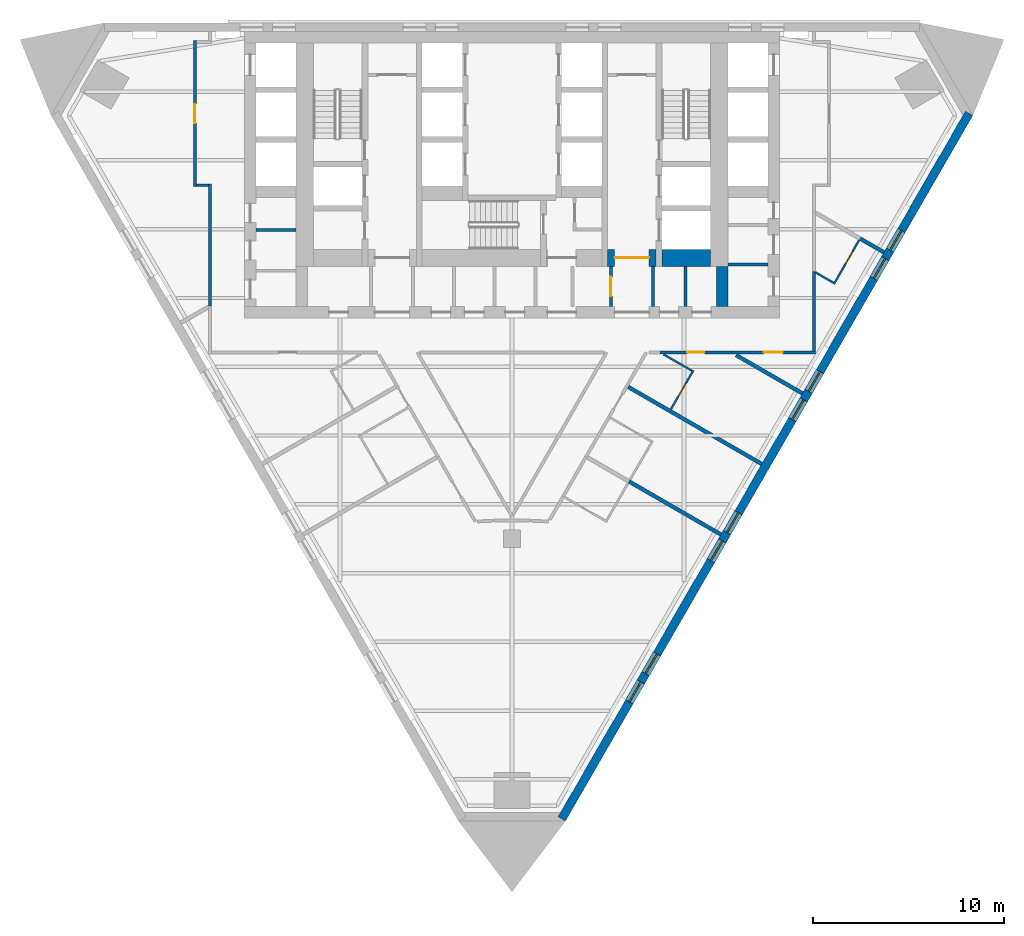
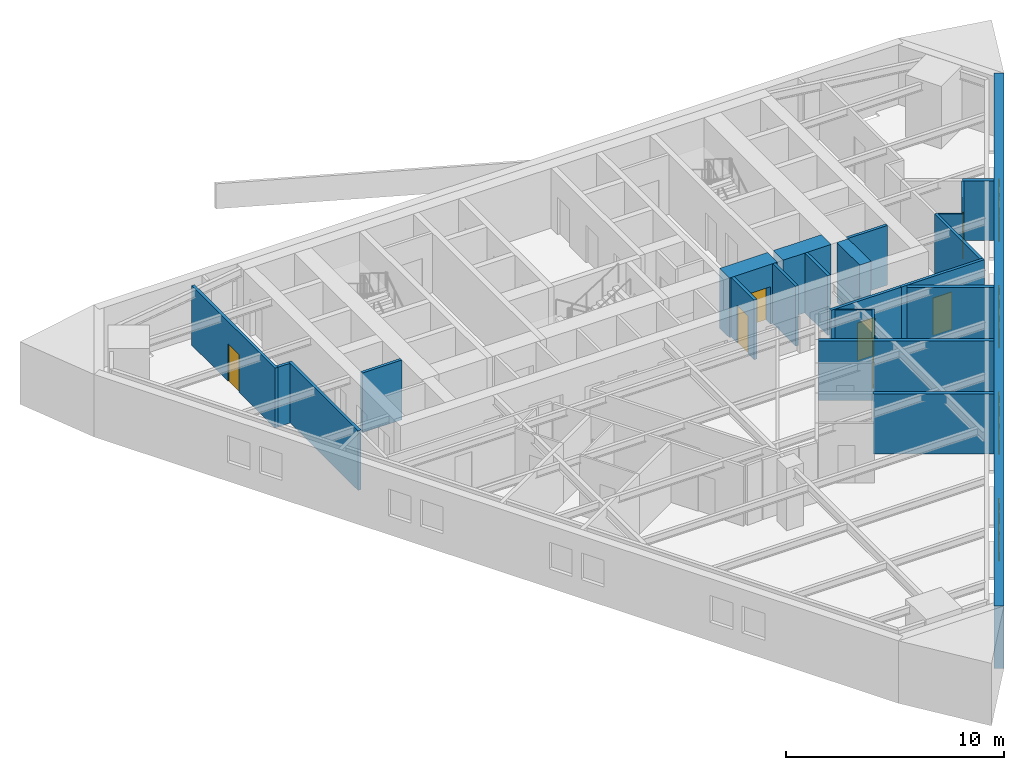
# One storey, part 4 of 10: 23 walls, 8 windows, 7 doors, 15 openings.
"""IFC4 building model written with IfcOpenShell, lengths in metres."""

from ifc_helpers import new_model, si_unit, direction, frame, frame_2d, origin, place, context, subcontext, project, spatial, polyline, rectangle, outline, extrude, material, layer, layer_set, type_object, element, fill, save


model = new_model("IFC4")

# Units and contexts
model_context = context("Model", 3, precision=1e-05, world=origin(), true_north=direction((0.0, 1.0)))
body_context = subcontext(model_context, "Body", "Model", "MODEL_VIEW")
ifc_project = project(units=[si_unit("LENGTHUNIT", "METRE"), si_unit("AREAUNIT", "SQUARE_METRE"), si_unit("VOLUMEUNIT", "CUBIC_METRE"), si_unit("PLANEANGLEUNIT", "RADIAN"), si_unit("MASSUNIT", "GRAM", prefix="KILO")], contexts=[model_context])

# Site, building, storey
site_placement = place(None, origin())
site = spatial("IfcSite", under=ifc_project, at=site_placement, CompositionType="ELEMENT")
building_placement = place(site_placement, origin())
building = spatial("IfcBuilding", under=site, at=building_placement, Name="Aloe Facet Convention Tower", CompositionType="ELEMENT")
storey_placement = place(building_placement, frame((0.0, 0.0, 85.300048828125)))
storey = spatial("IfcBuildingStorey", under=building, at=storey_placement, Name="L20", CompositionType="ELEMENT", Elevation=85.300048828125)

# Wall
ifc_material_1 = material(Name="Concrete blockwork partition", Category="masonry")
ifc_layer_1 = layer(ifc_material_1, 0.14990234375)
ifc_layer_set_1 = layer_set([ifc_layer_1], Name="CR-W-PART150")
wall_type_1 = type_object("IfcWallType", Name="CR-W-PART150", PredefinedType="PARTITIONING", material=ifc_layer_set_1)
wall_1_placement = place(storey_placement, frame((66.60009765625, 124.16455078125, 0.0), z_axis=(0.0, 0.0, 1.0), x_axis=(1.0, 0.0, 0.0)))
element("IfcWall", 1, at=wall_1_placement, inside=storey, type_object=wall_type_1, Name="Core partition L20-007", PredefinedType="PARTITIONING", context=body_context, shape_type="SweptSolid", body=[
    extrude(rectangle(XDim=2.099853515625, YDim=0.14990234375, at=frame_2d((1.0498046875, 0.0))), origin(), (0.0, 0.0, 1.0), 3.349853515625),
])

# Wall, opening, door
wall_2_placement = place(storey_placement, frame((85.175048828125, 122.25, 0.0), z_axis=(0.0, 0.0, 1.0), x_axis=(0.0, -1.0, 0.0)))
wall_2 = element("IfcWall", 2, at=wall_2_placement, inside=storey, type_object=wall_type_1, Name="Core partition L20-041", PredefinedType="PARTITIONING", context=body_context, shape_type="SweptSolid", body=[
    extrude(rectangle(XDim=2.10009765625, YDim=0.14990234375, at=frame_2d((1.050048828125, 0.0))), origin(), (0.0, 0.0, 1.0), 3.349853515625),
])
opening_1_placement = place(wall_2_placement, frame((0.550048828125, 0.0, 0.0)))
opening_1 = element("IfcOpeningElement", 3, at=opening_1_placement, cuts=wall_2, Name="Opening L20-CD28", PredefinedType="OPENING", context=body_context, shape_type="SweptSolid", body=[
    extrude(rectangle(XDim=1.0, YDim=2.10009765625, at=frame_2d((0.5, 1.050048828125))), frame((0.0, 0.0849609375, 0.0), z_axis=(0.0, -1.0, 0.0), x_axis=(1.0, 0.0, 0.0)), (0.0, 0.0, 1.0), 0.169921875),
])
ifc_material_2 = material(Name="Steel fire-resisting door set FD60", Category="steel")
door_type_1 = type_object("IfcDoorType", Name="CR-D-ROOM-1000-FD60-SRIGHT", OperationType="SINGLE_SWING_RIGHT", PredefinedType="DOOR", material=ifc_material_2)
door_1_placement = place(opening_1_placement, origin())
door_1 = element("IfcDoor", 4, at=door_1_placement, inside=storey, type_object=door_type_1, Name="Core door L20-CD28", OperationType="SINGLE_SWING_RIGHT", OverallHeight=2.10009765625, OverallWidth=1.0, PredefinedType="DOOR", context=body_context, shape_type="SweptSolid", body=[
    extrude(rectangle(XDim=1.0, YDim=2.10009765625, at=frame_2d((0.5, 1.050048828125))), frame((0.0, 0.02490234375, 0.0), z_axis=(0.0, -1.0, 0.0), x_axis=(1.0, 0.0, 0.0)), (0.0, 0.0, 1.0), 0.050048828125),
])
fill(opening_1, door_1)

# Walls
for number, where, z_axis, x_axis, name in (
    (5, (87.375, 122.25, 0.0), (0.0, 0.0, 1.0), (0.0, -1.0, 0.0), "Core partition L20-042"),
    (6, (89.074951171875, 122.25, 0.0), (0.0, 0.0, 1.0), (0.0, -1.0, 0.0), "Core partition L20-047"),
):
    element("IfcWall", number, at=place(storey_placement, frame(where, z_axis=z_axis, x_axis=x_axis)), inside=storey, type_object=wall_type_1, Name=name, PredefinedType="PARTITIONING", context=body_context, shape_type="SweptSolid", body=[
        extrude(rectangle(XDim=2.10009765625, YDim=0.14990234375, at=frame_2d((1.050048828125, 0.0))), origin(), (0.0, 0.0, 1.0), 3.349853515625),
    ])
wall_3_placement = place(storey_placement, frame((91.300048828125, 122.346435546875, 0.0), z_axis=(0.0, 0.0, 1.0), x_axis=(1.0, 0.0, 0.0)))
element("IfcWall", 7, at=wall_3_placement, inside=storey, type_object=wall_type_1, Name="Core partition L20-054", PredefinedType="PARTITIONING", context=body_context, shape_type="SweptSolid", body=[
    extrude(rectangle(XDim=2.099853515625, YDim=0.14990234375, at=frame_2d((1.0498046875, 0.0))), origin(), (0.0, 0.0, 1.0), 3.349853515625),
])
ifc_material_3 = material(Name="Concrete C70/85", Category="concrete")
ifc_layer_2 = layer(ifc_material_3, 0.60009765625)
ifc_layer_set_2 = layer_set([ifc_layer_2], Name="CR-W-RC600-C7085")
wall_type_2 = type_object("IfcWallType", Name="CR-W-RC600-C7085", PredefinedType="SOLIDWALL", material=ifc_layer_set_2)
wall_4_placement = place(storey_placement, frame((91.0, 122.25, 0.0), z_axis=(0.0, 0.0, 1.0), x_axis=(0.0, -1.0, 0.0)))
element("IfcWall", 8, at=wall_4_placement, inside=storey, type_object=wall_type_2, Name="Core wall L20-049", PredefinedType="SOLIDWALL", context=body_context, shape_type="SweptSolid", body=[
    extrude(rectangle(XDim=2.10009765625, YDim=0.60009765625, at=frame_2d((1.050048828125, 0.0))), origin(), (0.0, 0.0, 1.0), 3.349853515625),
])

# Wall, opening, door
ifc_material_4 = material(Name="Concrete C70/85", Category="concrete")
ifc_layer_3 = layer(ifc_material_4, 0.89990234375)
ifc_layer_set_3 = layer_set([ifc_layer_3], Name="CR-W-RC900-C7085")
wall_type_3 = type_object("IfcWallType", Name="CR-W-RC900-C7085", PredefinedType="SOLIDWALL", material=ifc_layer_set_3)
wall_5_placement = place(storey_placement, frame((85.0, 122.699951171875, 0.0), z_axis=(0.0, 0.0, 1.0), x_axis=(1.0, 0.0, 0.0)))
wall_5 = element("IfcWall", 9, at=wall_5_placement, inside=storey, type_object=wall_type_3, Name="Core wall L20-040", PredefinedType="SOLIDWALL", context=body_context, shape_type="SweptSolid", body=[
    extrude(rectangle(XDim=2.550048828125, YDim=0.89990234375, at=frame_2d((1.27490234375, 0.0))), origin(), (0.0, 0.0, 1.0), 3.349853515625),
])
opening_2_placement = place(wall_5_placement, frame((0.375, 0.0, 0.0)))
opening_2 = element("IfcOpeningElement", 10, at=opening_2_placement, cuts=wall_5, Name="Opening L20-CD14", PredefinedType="OPENING", context=body_context, shape_type="SweptSolid", body=[
    extrude(rectangle(XDim=1.800048828125, YDim=2.10009765625, at=frame_2d((0.89990234375, 1.050048828125))), frame((0.0, 0.4599609375, 0.0), z_axis=(0.0, -1.0, 0.0), x_axis=(1.0, 0.0, 0.0)), (0.0, 0.0, 1.0), 0.919921875),
])
ifc_material_5 = material(Name="Steel fire-resisting door set FD120", Category="steel")
door_type_2 = type_object("IfcDoorType", Name="CR-D-EXIT-1800-FD120-DD", OperationType="DOUBLE_DOOR_DOUBLE_SWING", PredefinedType="DOOR", material=ifc_material_5)
door_2_placement = place(opening_2_placement, origin())
door_2 = element("IfcDoor", 11, at=door_2_placement, inside=storey, type_object=door_type_2, Name="Core door L20-CD14", OperationType="DOUBLE_DOOR_DOUBLE_SWING", OverallHeight=2.10009765625, OverallWidth=1.800048828125, PredefinedType="DOOR", context=body_context, shape_type="SweptSolid", body=[
    extrude(rectangle(XDim=1.800048828125, YDim=2.10009765625, at=frame_2d((0.89990234375, 1.050048828125))), frame((0.0, 0.02490234375, 0.0), z_axis=(0.0, -1.0, 0.0), x_axis=(1.0, 0.0, 0.0)), (0.0, 0.0, 1.0), 0.050048828125),
])
fill(opening_2, door_2)

# Wall
wall_6_placement = place(storey_placement, frame((87.85009765625, 122.699951171875, 0.0), z_axis=(0.0, 0.0, 1.0), x_axis=(1.0, 0.0, 0.0)))
element("IfcWall", 12, at=wall_6_placement, inside=storey, type_object=wall_type_3, Name="Core wall L20-046", PredefinedType="SOLIDWALL", context=body_context, shape_type="SweptSolid", body=[
    extrude(rectangle(XDim=2.5498046875, YDim=0.89990234375, at=frame_2d((1.27490234375, 0.0))), origin(), (0.0, 0.0, 1.0), 3.349853515625),
])

# Wall, openings, windows
ifc_material_6 = material(Name="Precast concrete C40/50", Category="concrete")
ifc_layer_4 = layer(ifc_material_6, 0.449951171875)
ifc_layer_set_4 = layer_set([ifc_layer_4], Name="EV-WALL-STONE")
wall_type_4 = type_object("IfcWallType", Name="EV-WALL-STONE", PredefinedType="SOLIDWALL", material=ifc_layer_set_4)
wall_7_placement = place(storey_placement, frame((82.605224609375, 93.332763671875, -0.150146484375), z_axis=(0.0, 0.0, 1.0), x_axis=(0.500000478905, 0.866025127289, 0.0)))
wall_7 = element("IfcWall", 13, at=wall_7_placement, inside=storey, type_object=wall_type_4, Name="EW-L20-E01", PredefinedType="SOLIDWALL", context=body_context, shape_type="SweptSolid", body=[
    extrude(outline(polyline([(42.64306640625, 0.0), (42.64306640625, 3.5), (0.0, 3.5), (0.0, 0.0), (42.64306640625, 0.0)])), frame((0.0, 0.22509765625, 0.0), z_axis=(0.0, -1.0, 0.0), x_axis=(1.0, 0.0, 0.0)), (0.0, 0.0, 1.0), 0.449951171875),
])
opening_3_placement = place(wall_7_placement, frame((7.07861328125, 0.0, 1.050048828125)))
opening_3 = element("IfcOpeningElement", 14, at=opening_3_placement, cuts=wall_7, Name="Opening W-L20-E01", PredefinedType="OPENING", context=body_context, shape_type="SweptSolid", body=[
    extrude(rectangle(XDim=1.199951171875, YDim=1.5, at=frame_2d((0.60009765625, 0.75))), frame((0.0, 0.23486328125, 0.0), z_axis=(0.0, -1.0, 0.0), x_axis=(1.0, 0.0, 0.0)), (0.0, 0.0, 1.0), 0.469970703125),
])
opening_4_placement = place(wall_7_placement, frame((8.778564453125, 0.0, 1.050048828125)))
opening_4 = element("IfcOpeningElement", 15, at=opening_4_placement, cuts=wall_7, Name="Opening W-L20-E02", PredefinedType="OPENING", context=body_context, shape_type="SweptSolid", body=[
    extrude(rectangle(XDim=1.199951171875, YDim=1.5, at=frame_2d((0.60009765625, 0.75))), frame((0.0, 0.23486328125, 0.0), z_axis=(0.0, -1.0, 0.0), x_axis=(1.0, 0.0, 0.0)), (0.0, 0.0, 1.0), 0.469970703125),
])
opening_5_placement = place(wall_7_placement, frame((15.607177734375, 0.0, 1.050048828125)))
opening_5 = element("IfcOpeningElement", 16, at=opening_5_placement, cuts=wall_7, Name="Opening W-L20-E03", PredefinedType="OPENING", context=body_context, shape_type="SweptSolid", body=[
    extrude(rectangle(XDim=1.199951171875, YDim=1.5, at=frame_2d((0.60009765625, 0.75))), frame((0.0, 0.23486328125, 0.0), z_axis=(0.0, -1.0, 0.0), x_axis=(1.0, 0.0, 0.0)), (0.0, 0.0, 1.0), 0.469970703125),
])
opening_6_placement = place(wall_7_placement, frame((17.30712890625, 0.0, 1.050048828125)))
opening_6 = element("IfcOpeningElement", 17, at=opening_6_placement, cuts=wall_7, Name="Opening W-L20-E04", PredefinedType="OPENING", context=body_context, shape_type="SweptSolid", body=[
    extrude(rectangle(XDim=1.199951171875, YDim=1.5, at=frame_2d((0.60009765625, 0.75))), frame((0.0, 0.23486328125, 0.0), z_axis=(0.0, -1.0, 0.0), x_axis=(1.0, 0.0, 0.0)), (0.0, 0.0, 1.0), 0.469970703125),
])
opening_7_placement = place(wall_7_placement, frame((24.1357421875, 0.0, 1.050048828125)))
opening_7 = element("IfcOpeningElement", 18, at=opening_7_placement, cuts=wall_7, Name="Opening W-L20-E05", PredefinedType="OPENING", context=body_context, shape_type="SweptSolid", body=[
    extrude(rectangle(XDim=1.199951171875, YDim=1.5, at=frame_2d((0.60009765625, 0.75))), frame((0.0, 0.23486328125, 0.0), z_axis=(0.0, -1.0, 0.0), x_axis=(1.0, 0.0, 0.0)), (0.0, 0.0, 1.0), 0.469970703125),
])
opening_8_placement = place(wall_7_placement, frame((25.8359375, 0.0, 1.050048828125)))
opening_8 = element("IfcOpeningElement", 19, at=opening_8_placement, cuts=wall_7, Name="Opening W-L20-E06", PredefinedType="OPENING", context=body_context, shape_type="SweptSolid", body=[
    extrude(rectangle(XDim=1.199951171875, YDim=1.5, at=frame_2d((0.60009765625, 0.75))), frame((0.0, 0.23486328125, 0.0), z_axis=(0.0, -1.0, 0.0), x_axis=(1.0, 0.0, 0.0)), (0.0, 0.0, 1.0), 0.469970703125),
])
opening_9_placement = place(wall_7_placement, frame((32.66455078125, 0.0, 1.050048828125)))
opening_9 = element("IfcOpeningElement", 20, at=opening_9_placement, cuts=wall_7, Name="Opening W-L20-E07", PredefinedType="OPENING", context=body_context, shape_type="SweptSolid", body=[
    extrude(rectangle(XDim=1.199951171875, YDim=1.5, at=frame_2d((0.60009765625, 0.75))), frame((0.0, 0.23486328125, 0.0), z_axis=(0.0, -1.0, 0.0), x_axis=(1.0, 0.0, 0.0)), (0.0, 0.0, 1.0), 0.469970703125),
])
opening_10_placement = place(wall_7_placement, frame((34.364501953125, 0.0, 1.050048828125)))
opening_10 = element("IfcOpeningElement", 21, at=opening_10_placement, cuts=wall_7, Name="Opening W-L20-E08", PredefinedType="OPENING", context=body_context, shape_type="SweptSolid", body=[
    extrude(rectangle(XDim=1.199951171875, YDim=1.5, at=frame_2d((0.60009765625, 0.75))), frame((0.0, 0.23486328125, 0.0), z_axis=(0.0, -1.0, 0.0), x_axis=(1.0, 0.0, 0.0)), (0.0, 0.0, 1.0), 0.469970703125),
])
ifc_material_7 = material(Name="Aluminium frame, clear double glazing", Category="aluminium")
window_type = type_object("IfcWindowType", Name="EV-WIN-H12", PartitioningType="SINGLE_PANEL", PredefinedType="WINDOW", material=ifc_material_7)
window_1_placement = place(opening_3_placement, origin())
window_1 = element("IfcWindow", 22, at=window_1_placement, inside=storey, type_object=window_type, Name="W-L20-E01", OverallHeight=1.5, OverallWidth=1.199951171875, PartitioningType="SINGLE_PANEL", PredefinedType="WINDOW", context=body_context, shape_type="SweptSolid", body=[
    extrude(rectangle(XDim=1.199951171875, YDim=1.5, at=frame_2d((0.60009765625, 0.75))), frame((0.0, 0.030029296875, 0.0), z_axis=(0.0, -1.0, 0.0), x_axis=(1.0, 0.0, 0.0)), (0.0, 0.0, 1.0), 0.06005859375),
])
fill(opening_3, window_1)
window_2_placement = place(opening_4_placement, origin())
window_2 = element("IfcWindow", 23, at=window_2_placement, inside=storey, type_object=window_type, Name="W-L20-E02", OverallHeight=1.5, OverallWidth=1.199951171875, PartitioningType="SINGLE_PANEL", PredefinedType="WINDOW", context=body_context, shape_type="SweptSolid", body=[
    extrude(rectangle(XDim=1.199951171875, YDim=1.5, at=frame_2d((0.60009765625, 0.75))), frame((0.0, 0.030029296875, 0.0), z_axis=(0.0, -1.0, 0.0), x_axis=(1.0, 0.0, 0.0)), (0.0, 0.0, 1.0), 0.06005859375),
])
fill(opening_4, window_2)
window_3_placement = place(opening_5_placement, origin())
window_3 = element("IfcWindow", 24, at=window_3_placement, inside=storey, type_object=window_type, Name="W-L20-E03", OverallHeight=1.5, OverallWidth=1.199951171875, PartitioningType="SINGLE_PANEL", PredefinedType="WINDOW", context=body_context, shape_type="SweptSolid", body=[
    extrude(rectangle(XDim=1.199951171875, YDim=1.5, at=frame_2d((0.60009765625, 0.75))), frame((0.0, 0.030029296875, 0.0), z_axis=(0.0, -1.0, 0.0), x_axis=(1.0, 0.0, 0.0)), (0.0, 0.0, 1.0), 0.06005859375),
])
fill(opening_5, window_3)
window_4_placement = place(opening_6_placement, origin())
window_4 = element("IfcWindow", 25, at=window_4_placement, inside=storey, type_object=window_type, Name="W-L20-E04", OverallHeight=1.5, OverallWidth=1.199951171875, PartitioningType="SINGLE_PANEL", PredefinedType="WINDOW", context=body_context, shape_type="SweptSolid", body=[
    extrude(rectangle(XDim=1.199951171875, YDim=1.5, at=frame_2d((0.60009765625, 0.75))), frame((0.0, 0.030029296875, 0.0), z_axis=(0.0, -1.0, 0.0), x_axis=(1.0, 0.0, 0.0)), (0.0, 0.0, 1.0), 0.06005859375),
])
fill(opening_6, window_4)
window_5_placement = place(opening_7_placement, origin())
window_5 = element("IfcWindow", 26, at=window_5_placement, inside=storey, type_object=window_type, Name="W-L20-E05", OverallHeight=1.5, OverallWidth=1.199951171875, PartitioningType="SINGLE_PANEL", PredefinedType="WINDOW", context=body_context, shape_type="SweptSolid", body=[
    extrude(rectangle(XDim=1.199951171875, YDim=1.5, at=frame_2d((0.60009765625, 0.75))), frame((0.0, 0.030029296875, 0.0), z_axis=(0.0, -1.0, 0.0), x_axis=(1.0, 0.0, 0.0)), (0.0, 0.0, 1.0), 0.06005859375),
])
fill(opening_7, window_5)
window_6_placement = place(opening_8_placement, origin())
window_6 = element("IfcWindow", 27, at=window_6_placement, inside=storey, type_object=window_type, Name="W-L20-E06", OverallHeight=1.5, OverallWidth=1.199951171875, PartitioningType="SINGLE_PANEL", PredefinedType="WINDOW", context=body_context, shape_type="SweptSolid", body=[
    extrude(rectangle(XDim=1.199951171875, YDim=1.5, at=frame_2d((0.60009765625, 0.75))), frame((0.0, 0.030029296875, 0.0), z_axis=(0.0, -1.0, 0.0), x_axis=(1.0, 0.0, 0.0)), (0.0, 0.0, 1.0), 0.06005859375),
])
fill(opening_8, window_6)
window_7_placement = place(opening_9_placement, origin())
window_7 = element("IfcWindow", 28, at=window_7_placement, inside=storey, type_object=window_type, Name="W-L20-E07", OverallHeight=1.5, OverallWidth=1.199951171875, PartitioningType="SINGLE_PANEL", PredefinedType="WINDOW", context=body_context, shape_type="SweptSolid", body=[
    extrude(rectangle(XDim=1.199951171875, YDim=1.5, at=frame_2d((0.60009765625, 0.75))), frame((0.0, 0.030029296875, 0.0), z_axis=(0.0, -1.0, 0.0), x_axis=(1.0, 0.0, 0.0)), (0.0, 0.0, 1.0), 0.06005859375),
])
fill(opening_9, window_7)
window_8_placement = place(opening_10_placement, origin())
window_8 = element("IfcWindow", 29, at=window_8_placement, inside=storey, type_object=window_type, Name="W-L20-E08", OverallHeight=1.5, OverallWidth=1.199951171875, PartitioningType="SINGLE_PANEL", PredefinedType="WINDOW", context=body_context, shape_type="SweptSolid", body=[
    extrude(rectangle(XDim=1.199951171875, YDim=1.5, at=frame_2d((0.60009765625, 0.75))), frame((0.0, 0.030029296875, 0.0), z_axis=(0.0, -1.0, 0.0), x_axis=(1.0, 0.0, 0.0)), (0.0, 0.0, 1.0), 0.06005859375),
])
fill(opening_10, window_8)

# Wall, opening, door
ifc_material_8 = material(Name="Gypsum board partition on steel studs", Category="steel")
ifc_layer_5 = layer(ifc_material_8, 0.14990234375)
ifc_layer_set_5 = layer_set([ifc_layer_5], Name="IN-W-CORR")
wall_type_5 = type_object("IfcWallType", Name="IN-W-CORR", PredefinedType="PARTITIONING", material=ifc_layer_set_5)
wall_8_placement = place(storey_placement, frame((87.75634765625, 117.75, 0.0), z_axis=(0.0, 0.0, 1.0), x_axis=(1.0, 0.0, 0.0)))
wall_8 = element("IfcWall", 30, at=wall_8_placement, inside=storey, type_object=wall_type_5, Name="Partition L20-W046", PredefinedType="PARTITIONING", context=body_context, shape_type="SweptSolid", body=[
    extrude(rectangle(XDim=3.728515625, YDim=0.14990234375, at=frame_2d((1.8642578125, 0.0))), origin(), (0.0, 0.0, 1.0), 3.349853515625),
])
opening_11_placement = place(wall_8_placement, frame((1.414306640625, 0.0, 0.0)))
opening_11 = element("IfcOpeningElement", 31, at=opening_11_placement, cuts=wall_8, Name="Opening L20-005", PredefinedType="OPENING", context=body_context, shape_type="SweptSolid", body=[
    extrude(rectangle(XDim=0.89990234375, YDim=2.10009765625, at=frame_2d((0.449951171875, 1.050048828125))), frame((0.0, 0.0849609375, 0.0), z_axis=(0.0, -1.0, 0.0), x_axis=(1.0, 0.0, 0.0)), (0.0, 0.0, 1.0), 0.169921875),
])
ifc_material_9 = material(Name="Hardwood flush door FD30S", Category="wood")
door_type_3 = type_object("IfcDoorType", Name="IN-D-GUEST", OperationType="SINGLE_SWING_LEFT", PredefinedType="DOOR", material=ifc_material_9)
door_3_placement = place(opening_11_placement, origin())
door_3 = element("IfcDoor", 32, at=door_3_placement, inside=storey, type_object=door_type_3, Name="Door L20-005", OperationType="SINGLE_SWING_LEFT", OverallHeight=2.10009765625, OverallWidth=0.89990234375, PredefinedType="DOOR", context=body_context, shape_type="SweptSolid", body=[
    extrude(rectangle(XDim=0.89990234375, YDim=2.10009765625, at=frame_2d((0.449951171875, 1.050048828125))), frame((0.0, 0.02490234375, 0.0), z_axis=(0.0, -1.0, 0.0), x_axis=(1.0, 0.0, 0.0)), (0.0, 0.0, 1.0), 0.050048828125),
])
fill(opening_11, door_3)

wall_9_placement = place(storey_placement, frame((91.48486328125, 117.75, 0.0), z_axis=(0.0, 0.0, 1.0), x_axis=(1.0, 0.0, 0.0)))
wall_9 = element("IfcWall", 33, at=wall_9_placement, inside=storey, type_object=wall_type_5, Name="Partition L20-W047", PredefinedType="PARTITIONING", context=body_context, shape_type="SweptSolid", body=[
    extrude(rectangle(XDim=4.39013671875, YDim=0.14990234375, at=frame_2d((2.195068359375, 0.0))), origin(), (0.0, 0.0, 1.0), 3.349853515625),
])
opening_12_placement = place(wall_9_placement, frame((1.695068359375, 0.0, 0.0)))
opening_12 = element("IfcOpeningElement", 34, at=opening_12_placement, cuts=wall_9, Name="Opening L20-006", PredefinedType="OPENING", context=body_context, shape_type="SweptSolid", body=[
    extrude(rectangle(XDim=1.0, YDim=2.10009765625, at=frame_2d((0.5, 1.050048828125))), frame((0.0, 0.0849609375, 0.0), z_axis=(0.0, -1.0, 0.0), x_axis=(1.0, 0.0, 0.0)), (0.0, 0.0, 1.0), 0.169921875),
])
ifc_material_10 = material(Name="Hardwood flush door FD30S", Category="wood")
door_type_4 = type_object("IfcDoorType", Name="IN-D-WIDE", OperationType="SINGLE_SWING_LEFT", PredefinedType="DOOR", material=ifc_material_10)
door_4_placement = place(opening_12_placement, origin())
door_4 = element("IfcDoor", 35, at=door_4_placement, inside=storey, type_object=door_type_4, Name="Door L20-006", OperationType="SINGLE_SWING_LEFT", OverallHeight=2.10009765625, OverallWidth=1.0, PredefinedType="DOOR", context=body_context, shape_type="SweptSolid", body=[
    extrude(rectangle(XDim=1.0, YDim=2.10009765625, at=frame_2d((0.5, 1.050048828125))), frame((0.0, 0.02490234375, 0.0), z_axis=(0.0, -1.0, 0.0), x_axis=(1.0, 0.0, 0.0)), (0.0, 0.0, 1.0), 0.050048828125),
])
fill(opening_12, door_4)

# Walls
wall_10_placement = place(storey_placement, frame((64.199951171875, 120.1826171875, 0.0), z_axis=(0.0, 0.0, 1.0), x_axis=(0.0, 1.0, 0.0)))
element("IfcWall", 36, at=wall_10_placement, inside=storey, type_object=wall_type_5, Name="Partition L20-W049", PredefinedType="PARTITIONING", context=body_context, shape_type="SweptSolid", body=[
    extrude(rectangle(XDim=6.392333984375, YDim=0.14990234375, at=frame_2d((3.1962890625, 0.0))), origin(), (0.0, 0.0, 1.0), 3.349853515625),
])
wall_11_placement = place(storey_placement, frame((95.800048828125, 117.824951171875, 0.0), z_axis=(0.0, 0.0, 1.0), x_axis=(0.0, 1.0, 0.0)))
element("IfcWall", 37, at=wall_11_placement, inside=storey, type_object=wall_type_5, Name="Partition L20-W052", PredefinedType="PARTITIONING", context=body_context, shape_type="SweptSolid", body=[
    extrude(rectangle(XDim=4.1640625, YDim=0.14990234375, at=frame_2d((2.08203125, 0.0))), origin(), (0.0, 0.0, 1.0), 3.349853515625),
])

# Wall, opening, door
wall_12_placement = place(storey_placement, frame((63.39990234375, 126.425048828125, 0.0), z_axis=(0.0, 0.0, 1.0), x_axis=(0.0, 1.0, 0.0)))
wall_12 = element("IfcWall", 38, at=wall_12_placement, inside=storey, type_object=wall_type_5, Name="Partition L20-W056", PredefinedType="PARTITIONING", context=body_context, shape_type="SweptSolid", body=[
    extrude(rectangle(XDim=7.64990234375, YDim=0.14990234375, at=frame_2d((3.824951171875, 0.0))), origin(), (0.0, 0.0, 1.0), 3.349853515625),
])
opening_13_placement = place(wall_12_placement, frame((3.324951171875, 0.0, 0.0)))
opening_13 = element("IfcOpeningElement", 39, at=opening_13_placement, cuts=wall_12, Name="Opening L20-007", PredefinedType="OPENING", context=body_context, shape_type="SweptSolid", body=[
    extrude(rectangle(XDim=1.0, YDim=2.10009765625, at=frame_2d((0.5, 1.050048828125))), frame((0.0, 0.0849609375, 0.0), z_axis=(0.0, -1.0, 0.0), x_axis=(1.0, 0.0, 0.0)), (0.0, 0.0, 1.0), 0.169921875),
])
door_5_placement = place(opening_13_placement, origin())
door_5 = element("IfcDoor", 40, at=door_5_placement, inside=storey, type_object=door_type_4, Name="Door L20-007", OperationType="SINGLE_SWING_LEFT", OverallHeight=2.10009765625, OverallWidth=1.0, PredefinedType="DOOR", context=body_context, shape_type="SweptSolid", body=[
    extrude(rectangle(XDim=1.0, YDim=2.10009765625, at=frame_2d((0.5, 1.050048828125))), frame((0.0, 0.02490234375, 0.0), z_axis=(0.0, -1.0, 0.0), x_axis=(1.0, 0.0, 0.0)), (0.0, 0.0, 1.0), 0.050048828125),
])
fill(opening_13, door_5)

# Wall
wall_13_placement = place(storey_placement, frame((63.47509765625, 126.5, 0.0), z_axis=(0.0, 0.0, 1.0), x_axis=(1.0, 0.0, 0.0)))
element("IfcWall", 41, at=wall_13_placement, inside=storey, type_object=wall_type_5, Name="Partition L20-W057", PredefinedType="PARTITIONING", context=body_context, shape_type="SweptSolid", body=[
    extrude(rectangle(XDim=0.64990234375, YDim=0.14990234375, at=frame_2d((0.324951171875, 0.0))), origin(), (0.0, 0.0, 1.0), 3.349853515625),
])

# Wall, opening, door
ifc_material_11 = material(Name="Gypsum board partition on steel studs", Category="steel")
ifc_layer_6 = layer(ifc_material_11, 0.10009765625)
ifc_layer_set_6 = layer_set([ifc_layer_6], Name="IN-W-PART")
wall_type_6 = type_object("IfcWallType", Name="IN-W-PART", PredefinedType="PARTITIONING", material=ifc_layer_set_6)
wall_14_placement = place(storey_placement, frame((88.319580078125, 114.780517578125, 0.0), z_axis=(0.0, 0.0, 1.0), x_axis=(0.499954256575, 0.866051812152, 0.0)))
wall_14 = element("IfcWall", 42, at=wall_14_placement, inside=storey, type_object=wall_type_6, Name="Partition L20-W036", PredefinedType="PARTITIONING", context=body_context, shape_type="SweptSolid", body=[
    extrude(rectangle(XDim=2.340087890625, YDim=0.10009765625, at=frame_2d((1.169921875, 0.0))), origin(), (0.0, 0.0, 1.0), 3.349853515625),
])
opening_14_placement = place(wall_14_placement, frame((0.77001953125, 0.0, 0.0)))
opening_14 = element("IfcOpeningElement", 43, at=opening_14_placement, cuts=wall_14, Name="Opening L20-014", PredefinedType="OPENING", context=body_context, shape_type="SweptSolid", body=[
    extrude(rectangle(XDim=0.800048828125, YDim=2.10009765625, at=frame_2d((0.39990234375, 1.050048828125))), frame((0.0, 0.06005859375, 0.0), z_axis=(0.0, -1.0, 0.0), x_axis=(1.0, 0.0, 0.0)), (0.0, 0.0, 1.0), 0.1201171875),
])
ifc_material_12 = material(Name="Timber flush door", Category="wood")
door_type_5 = type_object("IfcDoorType", Name="IN-D-BATH", OperationType="SINGLE_SWING_LEFT", PredefinedType="DOOR", material=ifc_material_12)
door_6_placement = place(opening_14_placement, origin())
door_6 = element("IfcDoor", 44, at=door_6_placement, inside=storey, type_object=door_type_5, Name="Door L20-014", OperationType="SINGLE_SWING_LEFT", OverallHeight=2.10009765625, OverallWidth=0.800048828125, PredefinedType="DOOR", context=body_context, shape_type="SweptSolid", body=[
    extrude(rectangle(XDim=0.800048828125, YDim=2.10009765625, at=frame_2d((0.39990234375, 1.050048828125))), frame((0.0, 0.02490234375, 0.0), z_axis=(0.0, -1.0, 0.0), x_axis=(1.0, 0.0, 0.0)), (0.0, 0.0, 1.0), 0.050048828125),
])
fill(opening_14, door_6)

# Walls
wall_15_placement = place(storey_placement, frame((87.933837890625, 117.6474609375, 0.0), z_axis=(0.0, 0.0, 1.0), x_axis=(0.866074343204, -0.499915224856, 0.0)))
element("IfcWall", 45, at=wall_15_placement, inside=storey, type_object=wall_type_6, Name="Partition L20-W045", PredefinedType="PARTITIONING", context=body_context, shape_type="SweptSolid", body=[
    extrude(rectangle(XDim=1.717529296875, YDim=0.10009765625, at=frame_2d((0.85888671875, 0.0))), origin(), (0.0, 0.0, 1.0), 3.349853515625),
])
wall_16_placement = place(storey_placement, frame((95.88232421875, 121.94140625, 0.0), z_axis=(0.0, 0.0, 1.0), x_axis=(0.866087020037, -0.499893262331, 0.0)))
element("IfcWall", 46, at=wall_16_placement, inside=storey, type_object=wall_type_6, Name="Partition L20-W050", PredefinedType="PARTITIONING", context=body_context, shape_type="SweptSolid", body=[
    extrude(rectangle(XDim=1.196044921875, YDim=0.10009765625, at=frame_2d((0.59814453125, 0.0))), origin(), (0.0, 0.0, 1.0), 3.349853515625),
])

# Wall, opening, door
wall_17_placement = place(storey_placement, frame((96.90478515625, 121.42041015625, 0.0), z_axis=(0.0, 0.0, 1.0), x_axis=(0.496762324189, 0.867886624661, 0.0)))
wall_17 = element("IfcWall", 47, at=wall_17_placement, inside=storey, type_object=wall_type_6, Name="Partition L20-W054", PredefinedType="PARTITIONING", context=body_context, shape_type="SweptSolid", body=[
    extrude(rectangle(XDim=2.530029296875, YDim=0.10009765625, at=frame_2d((1.26513671875, 0.0))), origin(), (0.0, 0.0, 1.0), 3.349853515625),
])
opening_15_placement = place(wall_17_placement, frame((1.091064453125, 0.0, 0.0)))
opening_15 = element("IfcOpeningElement", 48, at=opening_15_placement, cuts=wall_17, Name="Opening L20-015", PredefinedType="OPENING", context=body_context, shape_type="SweptSolid", body=[
    extrude(rectangle(XDim=0.800048828125, YDim=2.10009765625, at=frame_2d((0.39990234375, 1.050048828125))), frame((0.0, 0.06005859375, 0.0), z_axis=(0.0, -1.0, 0.0), x_axis=(1.0, 0.0, 0.0)), (0.0, 0.0, 1.0), 0.1201171875),
])
door_7_placement = place(opening_15_placement, origin())
door_7 = element("IfcDoor", 49, at=door_7_placement, inside=storey, type_object=door_type_5, Name="Door L20-015", OperationType="SINGLE_SWING_LEFT", OverallHeight=2.10009765625, OverallWidth=0.800048828125, PredefinedType="DOOR", context=body_context, shape_type="SweptSolid", body=[
    extrude(rectangle(XDim=0.800048828125, YDim=2.10009765625, at=frame_2d((0.39990234375, 1.050048828125))), frame((0.0, 0.02490234375, 0.0), z_axis=(0.0, -1.0, 0.0), x_axis=(1.0, 0.0, 0.0)), (0.0, 0.0, 1.0), 0.050048828125),
])
fill(opening_15, door_7)

# Walls
ifc_material_13 = material(Name="Gypsum board partition on steel studs", Category="steel")
ifc_layer_7 = layer(ifc_material_13, 0.199951171875)
ifc_layer_set_7 = layer_set([ifc_layer_7], Name="IN-W-PARTY")
wall_type_7 = type_object("IfcWallType", Name="IN-W-PARTY", PredefinedType="PARTITIONING", material=ifc_layer_set_7)
wall_18_placement = place(storey_placement, frame((86.123779296875, 110.997314453125, 0.0), z_axis=(0.0, 0.0, 1.0), x_axis=(0.866026912667, -0.49999738653, 0.0)))
element("IfcWall", 50, at=wall_18_placement, inside=storey, type_object=wall_type_7, Name="Partition L20-W002", PredefinedType="PARTITIONING", context=body_context, shape_type="SweptSolid", body=[
    extrude(rectangle(XDim=5.56005859375, YDim=0.199951171875, at=frame_2d((2.780029296875, 0.0))), origin(), (0.0, 0.0, 1.0), 3.349853515625),
])
wall_19_placement = place(storey_placement, frame((86.086669921875, 115.94287109375, 0.0), z_axis=(0.0, 0.0, 1.0), x_axis=(0.866010152247, -0.500026415507, 0.0)))
element("IfcWall", 51, at=wall_19_placement, inside=storey, type_object=wall_type_7, Name="Partition L20-W017", PredefinedType="PARTITIONING", context=body_context, shape_type="SweptSolid", body=[
    extrude(rectangle(XDim=8.06494140625, YDim=0.199951171875, at=frame_2d((4.032470703125, 0.0))), origin(), (0.0, 0.0, 1.0), 3.349853515625),
])
wall_20_placement = place(storey_placement, frame((91.731689453125, 117.607421875, 0.0), z_axis=(0.0, 0.0, 1.0), x_axis=(0.866034462328, -0.499984309814, 0.0)))
element("IfcWall", 52, at=wall_20_placement, inside=storey, type_object=wall_type_7, Name="Partition L20-W030", PredefinedType="PARTITIONING", context=body_context, shape_type="SweptSolid", body=[
    extrude(rectangle(XDim=4.008544921875, YDim=0.199951171875, at=frame_2d((2.00439453125, 0.0))), origin(), (0.0, 0.0, 1.0), 3.349853515625),
])
wall_21_placement = place(storey_placement, frame((98.21630859375, 123.711669921875, 0.0), z_axis=(0.0, 0.0, 1.0), x_axis=(0.866019559589, -0.500010122307, 0.0)))
element("IfcWall", 53, at=wall_21_placement, inside=storey, type_object=wall_type_7, Name="Partition L20-W053", PredefinedType="PARTITIONING", context=body_context, shape_type="SweptSolid", body=[
    extrude(rectangle(XDim=1.44482421875, YDim=0.199951171875, at=frame_2d((0.722412109375, 0.0))), origin(), (0.0, 0.0, 1.0), 3.349853515625),
])

save(model, "model.ifc")
